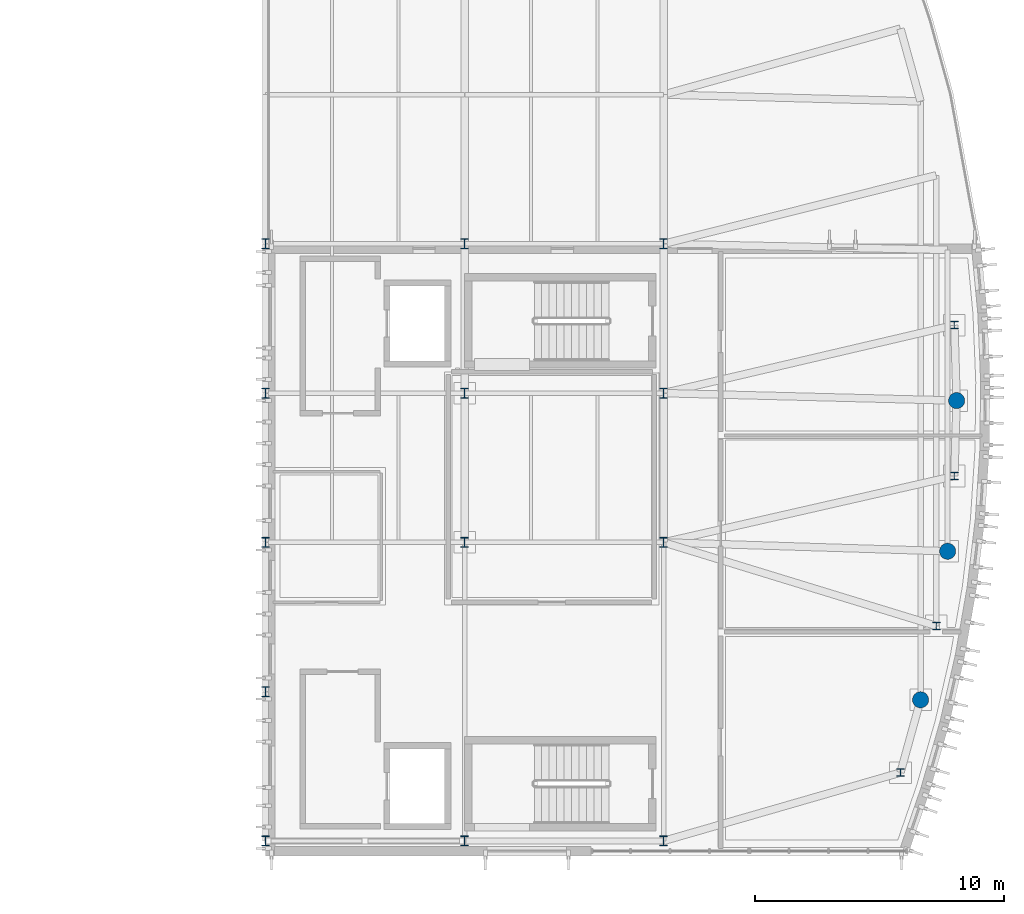
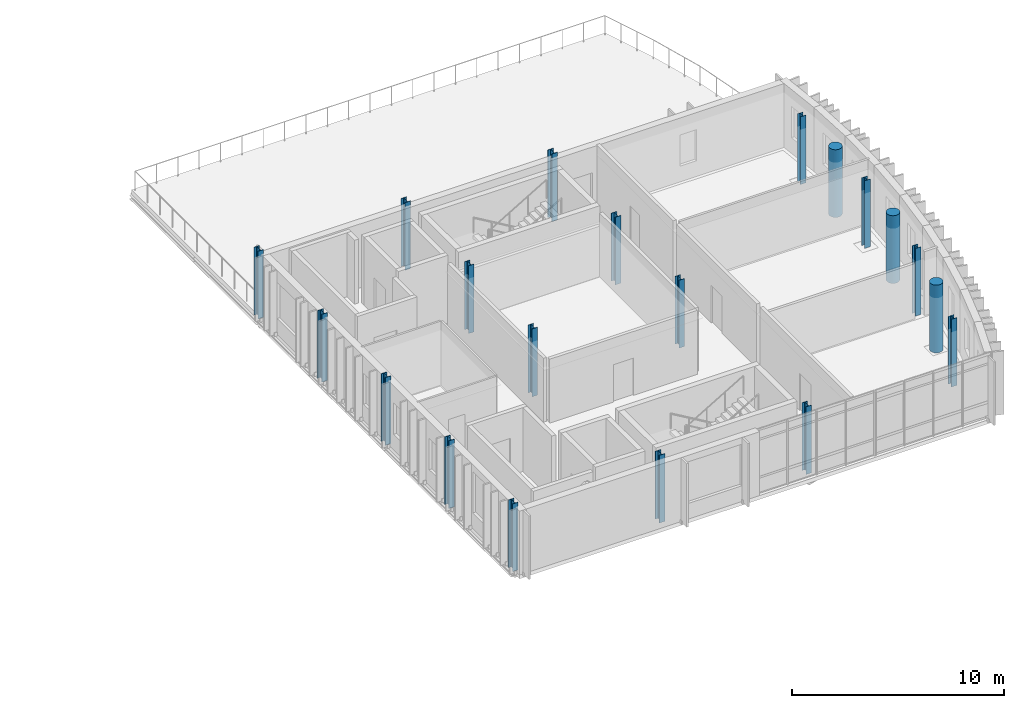
# One storey, part 6 of 40: 20 columns.
"""IFC4 building model written with IfcOpenShell, lengths in metres."""

import ifcopenshell
import ifcopenshell.guid

model = None  # the IFC model being written
_history = None  # IfcOwnerHistory: only IFC2X3 demands one
_inside = {}  # id of a spatial element -> (the spatial element, [elements in it])
_under = {}  # id of a project, library or spatial element -> (it, [spatial elements below it])
_declared = {}  # id of a project -> (the project, [libraries it declares])
_typed = {}  # id of a type object -> (the type object, [elements of that type])
_made_of = {}  # id of a material, layer set ... -> (it, [elements and type objects made of it])


def new_model(schema):
    """Start an empty IFC model of exactly this schema.

    Asked for "IFC4X3", IfcOpenShell would pick the latest addendum, in which some entities
    have other attributes; the version numbers below select the first issue.
    IFC2X3 requires an IfcOwnerHistory on every rooted entity: one is made here for all.
    """
    global model, _history
    if schema == "IFC4X3":
        model = ifcopenshell.file(schema_version=(4, 3, 0, 0))
    else:
        model = ifcopenshell.file(schema=schema)
    _inside.clear()
    _under.clear()
    _declared.clear()
    _typed.clear()
    _made_of.clear()
    _history = None
    if model.schema == "IFC2X3":
        org = make("IfcOrganization", Name="unknown")
        user = make(
            "IfcPersonAndOrganization",
            ThePerson=make("IfcPerson", FamilyName="unknown"),
            TheOrganization=org,
        )
        app = make(
            "IfcApplication",
            ApplicationDeveloper=org,
            Version="unknown",
            ApplicationFullName="unknown",
            ApplicationIdentifier="unknown",
        )
        _history = make(
            "IfcOwnerHistory",
            OwningUser=user,
            OwningApplication=app,
            ChangeAction="ADDED",
            CreationDate=0,
        )
    return model


def make(cls, **values):
    """One entity of the class cls with the attributes given. An attribute that is None is left unset."""
    return model.create_entity(
        cls, **{name: value for name, value in values.items() if value is not None}
    )


def rooted(cls, **values):
    """An entity with a GlobalId (a new one), such as an element, a storey or a relation."""
    return make(cls, GlobalId=ifcopenshell.guid.new(), OwnerHistory=_history, **values)


def si_unit(unit_type, name, prefix=None):
    """IfcSIUnit, for example si_unit("LENGTHUNIT", "METRE", prefix="MILLI")."""
    return make("IfcSIUnit", UnitType=unit_type, Prefix=prefix, Name=name)


def assignment(units):
    """IfcUnitAssignment: the units of a project."""
    return None if units is None else make("IfcUnitAssignment", Units=units)


def point(xyz):
    """IfcCartesianPoint."""
    return None if xyz is None else make("IfcCartesianPoint", Coordinates=xyz)


def direction(xyz):
    """IfcDirection."""
    return None if xyz is None else make("IfcDirection", DirectionRatios=xyz)


def frame(location, z_axis=None, x_axis=None):
    """IfcAxis2Placement3D, a coordinate frame: its origin and axes. An axis left out is left unset."""
    return make(
        "IfcAxis2Placement3D",
        Location=point(location),
        Axis=direction(z_axis),
        RefDirection=direction(x_axis),
    )


def frame_2d(location, x_axis=None):
    """IfcAxis2Placement2D, a coordinate frame in the plane: its origin and x axis."""
    return make(
        "IfcAxis2Placement2D", Location=point(location), RefDirection=direction(x_axis)
    )


def origin():
    """The frame at (0, 0, 0) with its axes left unset."""
    return frame((0.0, 0.0, 0.0))


def origin_2d():
    """The frame at (0, 0) in the plane with its x axis left unset."""
    return frame_2d((0.0, 0.0))


def place(relative_to, where):
    """IfcLocalPlacement: puts the frame where relative to a parent placement (None: the world)."""
    return make(
        "IfcLocalPlacement", PlacementRelTo=relative_to, RelativePlacement=where
    )


def context(
    kind, dimensions, precision=None, world=None, true_north=None, identifier=None
):
    """IfcGeometricRepresentationContext, for example the 3D "Model" context."""
    return make(
        "IfcGeometricRepresentationContext",
        ContextIdentifier=identifier,
        ContextType=kind,
        CoordinateSpaceDimension=dimensions,
        Precision=precision,
        WorldCoordinateSystem=world,
        TrueNorth=true_north,
    )


def subcontext(parent, identifier, kind, view, scale=None):
    """IfcGeometricRepresentationSubContext, for example "Body" below "Model"."""
    return make(
        "IfcGeometricRepresentationSubContext",
        ContextIdentifier=identifier,
        ContextType=kind,
        ParentContext=parent,
        TargetScale=scale,
        TargetView=view,
    )


def project(units=None, contexts=None):
    """IfcProject with its units and contexts."""
    return rooted(
        "IfcProject",
        Name="project",
        RepresentationContexts=contexts,
        UnitsInContext=assignment(units),
    )


def spatial(cls, under=None, at=None, **own):
    """A site, building, storey or space (cls), placed at a placement, below another one or the project."""
    s = rooted(cls, ObjectPlacement=at, **own)
    if under is not None:
        _under.setdefault(under.id(), (under, []))[1].append(s)
    return s


def profile(cls, at=None, kind="AREA", **sizes):
    """A parametric profile (cls). Its sizes go by their IFC names, for example OverallWidth=200.0."""
    return make(cls, ProfileType=kind, Position=at, **sizes)


def circle(**sizes):
    """IfcCircleProfileDef."""
    return profile("IfcCircleProfileDef", **sizes)


def i_section(**sizes):
    """IfcIShapeProfileDef."""
    return profile("IfcIShapeProfileDef", **sizes)


def extrude(swept, where, along, depth):
    """IfcExtrudedAreaSolid: the profile swept, set in the frame where, extruded along a direction by depth."""
    return make(
        "IfcExtrudedAreaSolid",
        SweptArea=swept,
        Position=where,
        ExtrudedDirection=direction(along),
        Depth=depth,
    )


def shape(context_of_items, identifier, shape_type, items):
    """IfcShapeRepresentation: the items that make up one representation, for example the "Body"."""
    return make(
        "IfcShapeRepresentation",
        ContextOfItems=context_of_items,
        RepresentationIdentifier=identifier,
        RepresentationType=shape_type,
        Items=items,
    )


def material(Name=None, Category=None):
    """IfcMaterial."""
    return make("IfcMaterial", Name=Name, Category=Category)


def material_profile(
    of_material, cross_section, Name=None, Category=None, Priority=None
):
    """IfcMaterialProfile: a cross section and its material."""
    return make(
        "IfcMaterialProfile",
        Name=Name,
        Material=of_material,
        Profile=cross_section,
        Priority=Priority,
        Category=Category,
    )


def profile_set(profiles, Name=None, composite=None):
    """IfcMaterialProfileSet."""
    return make(
        "IfcMaterialProfileSet",
        Name=Name,
        MaterialProfiles=profiles,
        CompositeProfile=composite,
    )


def made_of(thing, what):
    """Note that an element or type object is made of a material, layer set ...; save() writes the relation."""
    if what is not None:
        _made_of.setdefault(what.id(), (what, []))[1].append(thing)
    return thing


def type_object(cls, material=None, **own):
    """A type object (cls), such as IfcWallType, which elements share."""
    return made_of(rooted(cls, **own), material)


def element(
    cls,
    number,
    at=None,
    inside=None,
    cuts=None,
    type_object=None,
    material=None,
    context=None,
    identifier="Body",
    shape_type=None,
    held_by="IfcProductDefinitionShape",
    body=None,
    shapes=None,
    **own,
):
    """One element of the class cls, such as IfcWall. Its Tag is "e" and its number.

    at: its placement. inside: the storey or other place that contains it. cuts: it is an
    opening in that element (IfcRelVoidsElement). A single representation is given by context,
    identifier, shape_type and body (its items); several are given by shapes. held_by: the class
    of the entity that holds the representations. save() writes the other relations.
    """
    e = rooted(cls, Tag="e%d" % number, ObjectPlacement=at, **own)
    if body is not None:
        shapes = [shape(context, identifier, shape_type, body)]
    if shapes is not None:
        e.Representation = make(held_by, Representations=shapes)
    if inside is not None:
        _inside.setdefault(inside.id(), (inside, []))[1].append(e)
    if cuts is not None:
        rooted(
            "IfcRelVoidsElement", RelatingBuildingElement=cuts, RelatedOpeningElement=e
        )
    if type_object is not None:
        _typed.setdefault(type_object.id(), (type_object, []))[1].append(e)
    return made_of(e, material)


def aggregate(whole, parts):
    """IfcRelAggregates: a whole, such as a stair, and the parts it consists of."""
    return rooted("IfcRelAggregates", RelatingObject=whole, RelatedObjects=parts)


def save(model, path):
    """Write the relations noted so far, then the file.

    IfcRelAggregates (storeys below a building ...), IfcRelContainedInSpatialStructure (elements
    in a storey), IfcRelDefinesByType, IfcRelAssociatesMaterial and IfcRelDeclares: one each for
    every whole, place, type object, material and project.
    """
    for whole, parts in _under.values():
        aggregate(whole, parts)
    for where, things in _inside.values():
        rooted(
            "IfcRelContainedInSpatialStructure",
            RelatedElements=things,
            RelatingStructure=where,
        )
    for kind, things in _typed.values():
        rooted("IfcRelDefinesByType", RelatedObjects=things, RelatingType=kind)
    for what, things in _made_of.values():
        rooted("IfcRelAssociatesMaterial", RelatedObjects=things, RelatingMaterial=what)
    for by, libraries in _declared.values():
        rooted("IfcRelDeclares", RelatingContext=by, RelatedDefinitions=libraries)
    model.write(path)


model = new_model("IFC4")

# Units and contexts
model_context = context("Model", 3, precision=1e-05, world=origin(), true_north=direction((0.0, 1.0)))
body_context = subcontext(model_context, "Body", "Model", "MODEL_VIEW")
ifc_project = project(units=[si_unit("LENGTHUNIT", "METRE"), si_unit("AREAUNIT", "SQUARE_METRE"), si_unit("VOLUMEUNIT", "CUBIC_METRE"), si_unit("PLANEANGLEUNIT", "RADIAN"), si_unit("MASSUNIT", "GRAM", prefix="KILO")], contexts=[model_context])

# Site, building, storey
site_placement = place(None, origin())
site = spatial("IfcSite", under=ifc_project, at=site_placement, CompositionType="ELEMENT")
building_placement = place(site_placement, origin())
building = spatial("IfcBuilding", under=site, at=building_placement, Name="Cymarion Research Institute", CompositionType="ELEMENT")
storey_placement = place(building_placement, frame((0.0, 0.0, 26.699951171875)))
storey = spatial("IfcBuildingStorey", under=building, at=storey_placement, Name="L06", CompositionType="ELEMENT", Elevation=26.699951171875)

# Columns
ifc_material_1 = material(Name="Steel S355", Category="steel")
ifc_material_profile_1 = material_profile(ifc_material_1, i_section(OverallWidth=0.300048828125, OverallDepth=0.39990234375, WebThickness=0.013427734375, FlangeThickness=0.02392578125, FilletRadius=0.027099609375, at=origin_2d()), Name="HEB 400")
ifc_profile_set_1 = profile_set([ifc_material_profile_1], Name="Steel S355")
column_type_1 = type_object("IfcColumnType", Name="STRUCTURAL COLUMN C06 HEB 400", PredefinedType="COLUMN", material=ifc_profile_set_1)
for number, where, z_axis, x_axis, name in (
    (1, (138.60009765625, 5.5, 0.0), (0.0, 0.0, 1.0), (1.0, 0.0, 0.0), "L06 V1 column C06 #1219"),
    (2, (138.60009765625, 11.5, 0.0), (0.0, 0.0, 1.0), (1.0, 0.0, 0.0), "L06 V1 column C06 #1220"),
    (3, (138.60009765625, 17.5, 0.0), (0.0, 0.0, 1.0), (1.0, 0.0, 0.0), "L06 V1 column C06 #1221"),
    (4, (138.60009765625, 23.5, 0.0), (0.0, 0.0, 1.0), (1.0, 0.0, 0.0), "L06 V1 column C06 #1222"),
    (5, (138.60009765625, 29.5, 0.0), (0.0, 0.0, 1.0), (1.0, 0.0, 0.0), "L06 V1 column C06 #1223"),
    (6, (146.60009765625, 5.5, 0.0), (0.0, 0.0, 1.0), (1.0, 0.0, 0.0), "L06 V1 column C06 #1224"),
    (7, (146.60009765625, 17.5, 0.0), (0.0, 0.0, 1.0), (1.0, 0.0, 0.0), "L06 V1 column C06 #1225"),
    (8, (146.60009765625, 23.5, 0.0), (0.0, 0.0, 1.0), (1.0, 0.0, 0.0), "L06 V1 column C06 #1226"),
    (9, (146.60009765625, 29.5, 0.0), (0.0, 0.0, 1.0), (1.0, 0.0, 0.0), "L06 V1 column C06 #1227"),
    (10, (154.60009765625, 5.5, 0.0), (0.0, 0.0, 1.0), (1.0, 0.0, 0.0), "L06 V1 column C06 #1228"),
    (11, (154.60009765625, 17.5, 0.0), (0.0, 0.0, 1.0), (1.0, 0.0, 0.0), "L06 V1 column C06 #1229"),
    (12, (154.60009765625, 23.5, 0.0), (0.0, 0.0, 1.0), (1.0, 0.0, 0.0), "L06 V1 column C06 #1230"),
    (13, (154.60009765625, 29.5, 0.0), (0.0, 0.0, 1.0), (1.0, 0.0, 0.0), "L06 V1 column C06 #1231"),
):
    element("IfcColumn", number, at=place(storey_placement, frame(where, z_axis=z_axis, x_axis=x_axis)), inside=storey, type_object=column_type_1, Name=name, PredefinedType="COLUMN", context=body_context, shape_type="SweptSolid", body=[
        extrude(i_section(OverallWidth=0.300048828125, OverallDepth=0.39990234375, WebThickness=0.013427734375, FlangeThickness=0.02392578125, FilletRadius=0.027099609375, at=origin_2d()), origin(), (0.0, 0.0, 1.0), 3.900146484375),
    ])
ifc_material_profile_2 = material_profile(ifc_material_1, i_section(OverallWidth=0.300048828125, OverallDepth=0.300048828125, WebThickness=0.010986328125, FlangeThickness=0.01904296875, FilletRadius=0.027099609375, at=origin_2d()), Name="HEB 300")
ifc_profile_set_2 = profile_set([ifc_material_profile_2], Name="Steel S355")
column_type_2 = type_object("IfcColumnType", Name="STRUCTURAL COLUMN C08 HEB 300", PredefinedType="COLUMN", material=ifc_profile_set_2)
for number, where, z_axis, x_axis, name in (
    (14, (164.118896484375, 8.2470703125, 0.0), (0.0, 0.0, 1.0), (1.0, 0.0, 0.0), "L06 V1 column C08 #1232"),
    (15, (165.559814453125, 14.1416015625, 0.0), (0.0, 0.0, 1.0), (1.0, 0.0, 0.0), "L06 V1 column C08 #1234"),
    (16, (166.285400390625, 20.166015625, 0.0), (0.0, 0.0, 1.0), (1.0, 0.0, 0.0), "L06 V1 column C08 #1236"),
    (17, (166.285400390625, 26.23388671875, 0.0), (0.0, 0.0, 1.0), (1.0, 0.0, 0.0), "L06 V1 column C08 #1237"),
):
    element("IfcColumn", number, at=place(storey_placement, frame(where, z_axis=z_axis, x_axis=x_axis)), inside=storey, type_object=column_type_2, Name=name, PredefinedType="COLUMN", context=body_context, shape_type="SweptSolid", body=[
        extrude(i_section(OverallWidth=0.300048828125, OverallDepth=0.300048828125, WebThickness=0.010986328125, FlangeThickness=0.01904296875, FilletRadius=0.027099609375, at=origin_2d()), origin(), (0.0, 0.0, 1.0), 3.900146484375),
    ])
ifc_material_2 = material(Name="Concrete C40/50", Category="concrete")
ifc_material_profile_3 = material_profile(ifc_material_2, circle(Radius=0.324951171875, at=origin_2d()), Name="RC D650")
ifc_profile_set_3 = profile_set([ifc_material_profile_3], Name="Concrete C40/50")
column_type_3 = type_object("IfcColumnType", Name="STRUCTURAL COLUMN C21 RC D650", PredefinedType="COLUMN", material=ifc_profile_set_3)
for number, where, z_axis, x_axis, name in (
    (18, (164.927734375, 11.172607421875, 0.0), (0.0, 0.0, 1.0), (1.0, 0.0, 0.0), "L06 V1 column C21 #1233"),
    (19, (166.012939453125, 17.142822265625, 0.0), (0.0, 0.0, 1.0), (1.0, 0.0, 0.0), "L06 V1 column C21 #1235"),
    (20, (166.37646484375, 23.199951171875, 0.0), (0.0, 0.0, 1.0), (1.0, 0.0, 0.0), "L06 V1 column C21 #1238"),
):
    element("IfcColumn", number, at=place(storey_placement, frame(where, z_axis=z_axis, x_axis=x_axis)), inside=storey, type_object=column_type_3, Name=name, PredefinedType="COLUMN", context=body_context, shape_type="SweptSolid", body=[
        extrude(circle(Radius=0.324951171875, at=origin_2d()), origin(), (0.0, 0.0, 1.0), 3.900146484375),
    ])

save(model, "model.ifc")
